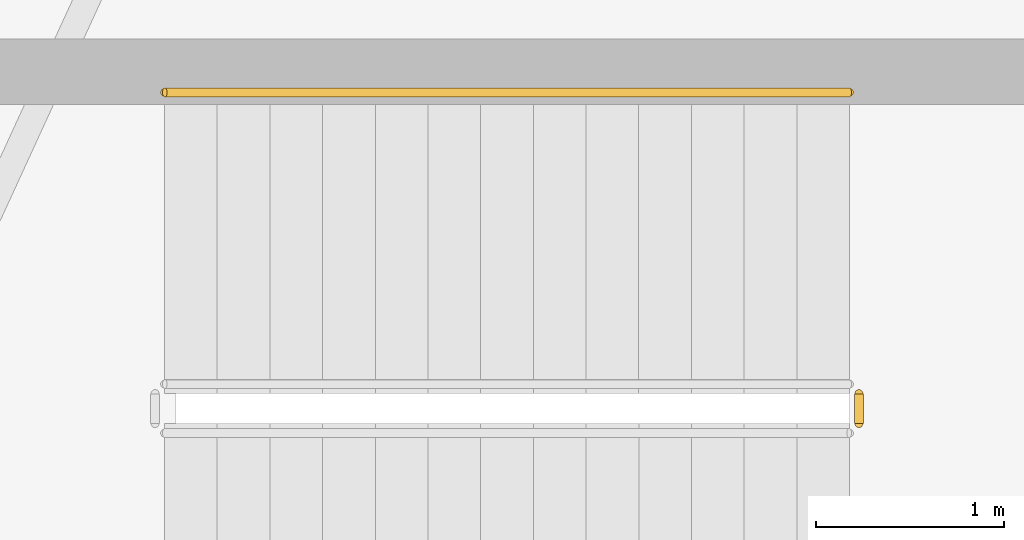
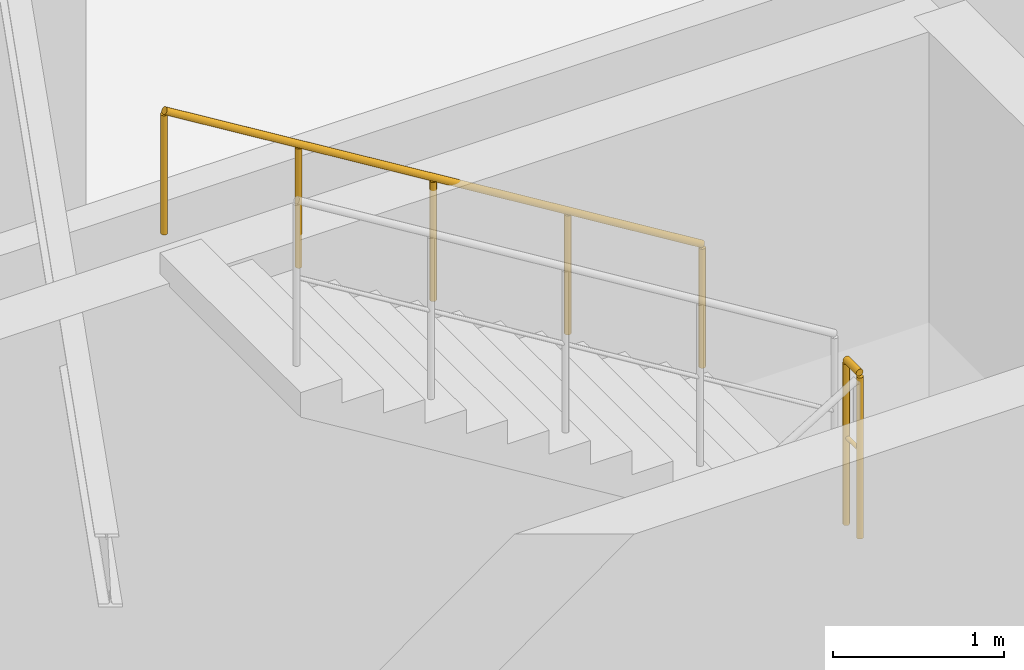
# One storey, part 28 of 31: 2 railings.
"""IFC4 building model written with IfcOpenShell, lengths in metres."""

from ifc_helpers import new_model, si_unit, direction, frame, origin, origin_2d, place, context, subcontext, project, spatial, circle, extrude, material, type_object, element, save


model = new_model("IFC4")

# Units and contexts
model_context = context("Model", 3, precision=1e-05, world=origin(), true_north=direction((0.0, 1.0)))
body_context = subcontext(model_context, "Body", "Model", "MODEL_VIEW")
ifc_project = project(units=[si_unit("LENGTHUNIT", "METRE"), si_unit("AREAUNIT", "SQUARE_METRE"), si_unit("VOLUMEUNIT", "CUBIC_METRE"), si_unit("PLANEANGLEUNIT", "RADIAN"), si_unit("MASSUNIT", "GRAM", prefix="KILO")], contexts=[model_context])

# Site, building, storey
site_placement = place(None, origin())
site = spatial("IfcSite", under=ifc_project, at=site_placement, CompositionType="ELEMENT")
building_placement = place(site_placement, origin())
building = spatial("IfcBuilding", under=site, at=building_placement, Name="Sahyath Konkavel Grand Hotel", CompositionType="ELEMENT")
storey_placement = place(building_placement, origin())
storey = spatial("IfcBuildingStorey", under=building, at=storey_placement, Name="L00", CompositionType="ELEMENT", Elevation=0.0)

# Railings
ifc_material_1 = material(Name="Steel E350", Category="steel")
railing_type_1 = type_object("IfcRailingType", Name="RLG-STAIR-GRD", PredefinedType="GUARDRAIL", material=ifc_material_1)
railing_1_placement = place(storey_placement, frame((24.97998046875, -12.389892578125, 2.39990234375)))
element("IfcRailing", 1, at=railing_1_placement, inside=storey, type_object=railing_type_1, Name="L00 ST-P4 stair guard 2", PredefinedType="GUARDRAIL", context=body_context, shape_type="SweptSolid", body=[
    extrude(circle(Radius=0.02392578125, at=origin_2d()), frame((0.0, 0.001953125, 1.17578125), z_axis=(0.0, 1.0, 0.0), x_axis=(-1.0, 0.0, 0.0)), (0.0, 0.0, 1.0), 0.156005859375),
    extrude(circle(Radius=0.01416015625, at=origin_2d()), frame((0.0, 0.001953125, 0.6240234375), z_axis=(0.0, 1.0, 0.0), x_axis=(-1.0, 0.0, 0.0)), (0.0, 0.0, 1.0), 0.156005859375),
    extrude(circle(Radius=0.02099609375, at=origin_2d()), origin(), (0.0, 0.0, 1.0), 1.15185546875),
    extrude(circle(Radius=0.02099609375, at=origin_2d()), frame((0.0, 0.159912109375, 0.0)), (0.0, 0.0, 1.0), 1.15185546875),
])
ifc_material_2 = material(Name="Anodised Bronze Aluminium", Category="aluminium")
railing_type_2 = type_object("IfcRailingType", Name="RLG-STAIR-HND", PredefinedType="HANDRAIL", material=ifc_material_2)
railing_2_placement = place(storey_placement, frame((24.929931640625, -10.6298828125, 2.571533203125)))
element("IfcRailing", 2, at=railing_2_placement, inside=storey, type_object=railing_type_2, Name="L00 ST-P4 stair handrail 2", PredefinedType="HANDRAIL", context=body_context, shape_type="SweptSolid", body=[
    extrude(circle(Radius=0.02392578125, at=origin_2d()), frame((-0.001708984375, 0.0, 0.876953125), z_axis=(-0.852850264322, 0.0, 0.5221555579), x_axis=(0.0, -1.0, 0.0)), (0.0, 0.0, 1.0), 4.263916015625),
    extrude(circle(Radius=0.02099609375, at=origin_2d()), origin(), (0.0, 0.0, 1.0), 0.851806640625),
    extrude(circle(Radius=0.02099609375, at=origin_2d()), frame((-0.909912109375, 0.0, 0.55712890625)), (0.0, 0.0, 1.0), 0.851806640625),
    extrude(circle(Radius=0.02099609375, at=origin_2d()), frame((-1.81982421875, 0.0, 1.1142578125)), (0.0, 0.0, 1.0), 0.851806640625),
    extrude(circle(Radius=0.02099609375, at=origin_2d()), frame((-2.72998046875, 0.0, 1.67138671875)), (0.0, 0.0, 1.0), 0.851806640625),
    extrude(circle(Radius=0.02099609375, at=origin_2d()), frame((-3.639892578125, 0.0, 2.228515625)), (0.0, 0.0, 1.0), 0.851806640625),
])

save(model, "model.ifc")
